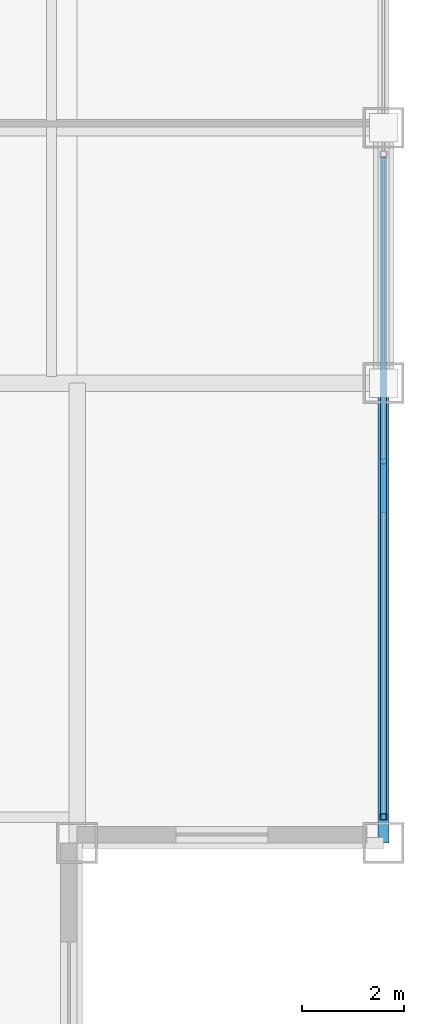
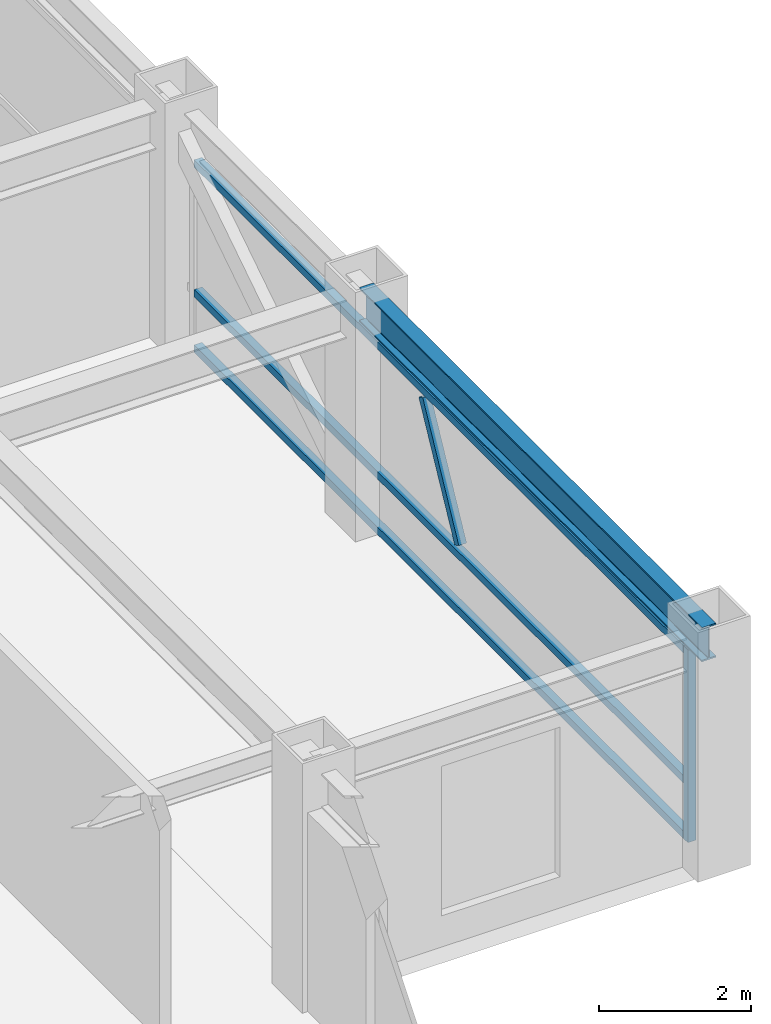
# One storey, part 12 of 29: 5 members, 1 beam, 1 element without a shape of its own.
"""IFC4 building model written with IfcOpenShell, lengths in metres."""

from ifc_helpers import new_model, si_unit, direction, frame, origin, origin_2d, place, context, subcontext, project, spatial, hollow_rectangle, i_section, extrude, source, transform, mapped, material, material_profile, profile_set, type_object, element, aggregate, save


model = new_model("IFC4")

# Units and contexts
model_context = context("Model", 3, precision=1e-05, world=origin(), true_north=direction((0.0, 1.0)))
body_context = subcontext(model_context, "Body", "Model", "MODEL_VIEW")
ifc_project = project(units=[si_unit("LENGTHUNIT", "METRE"), si_unit("AREAUNIT", "SQUARE_METRE"), si_unit("VOLUMEUNIT", "CUBIC_METRE"), si_unit("PLANEANGLEUNIT", "RADIAN"), si_unit("MASSUNIT", "GRAM", prefix="KILO")], contexts=[model_context])

# Site, building, storey
site_placement = place(None, origin())
site = spatial("IfcSite", under=ifc_project, at=site_placement, CompositionType="ELEMENT")
building_placement = place(site_placement, origin())
building = spatial("IfcBuilding", under=site, at=building_placement, Name="Khorayat Bourse Tower", CompositionType="ELEMENT")
storey_placement = place(building_placement, frame((0.0, 0.0, 346.300048828125)))
storey = spatial("IfcBuildingStorey", under=building, at=storey_placement, Name="L82", CompositionType="ELEMENT", Elevation=346.300048828125)

# Beam
ifc_material_1 = material(Name="Steel ASTM A992 Grade 50", Category="steel")
ifc_material_profile_1 = material_profile(ifc_material_1, i_section(OverallWidth=0.214111328125, OverallDepth=0.549072265625, WebThickness=0.0146484375, FlangeThickness=0.023681640625, FilletRadius=0.013916015625, at=origin_2d()), Name="W530X138")
ifc_profile_set_1 = profile_set([ifc_material_profile_1], Name="Steel ASTM A992 Grade 50")
beam_type = type_object("IfcBeamType", Name="BM-SPAN-530", PredefinedType="SPANDREL", material=ifc_profile_set_1)
shared_shape_1 = source(origin(), body_context, "Body", "SweptSolid", [
    extrude(i_section(OverallWidth=0.214111328125, OverallDepth=0.549072265625, WebThickness=0.0146484375, FlangeThickness=0.023681640625, FilletRadius=0.013916015625, at=origin_2d()), origin(), (0.0, 0.0, 1.0), 9.0),
])
beam_placement = place(storey_placement, frame((26.0, -20.0, 3.46533203125), z_axis=(0.0, 1.0, 0.0), x_axis=(-1.0, 0.0, 0.0)))
element("IfcBeam", 1, at=beam_placement, inside=storey, type_object=beam_type, Name="L82 BM-SPAN-530 BM-L82-SPN-029", PredefinedType="SPANDREL", context=body_context, shape_type="MappedRepresentation", body=[
    mapped(shared_shape_1, transform((0.0, 0.0, 0.0), scale=1.0)),
])

# Curtain wall, members
ifc_material_2 = material(Name="Aluminium EN AW-6063 T6", Category="aluminium")
curtain_wall_type = type_object("IfcCurtainWallType", Name="CW-SYS-06", PredefinedType="NOTDEFINED", material=ifc_material_2)
curtain_wall_placement = place(storey_placement, origin())
curtain_wall = element("IfcCurtainWall", 2, at=curtain_wall_placement, inside=storey, type_object=curtain_wall_type, Name="L82 Curtain Wall CW-L82-E1", PredefinedType="NOTDEFINED")
ifc_material_profile_2 = material_profile(ifc_material_2, hollow_rectangle(XDim=0.1201171875, YDim=0.1201171875, WallThickness=0.0048828125, at=origin_2d()), Name="ALU 120x120x5")
ifc_profile_set_2 = profile_set([ifc_material_profile_2], Name="Aluminium EN AW-6063 T6")
member_type_1 = type_object("IfcMemberType", Name="CWM-VERT-120", PredefinedType="MULLION", material=ifc_profile_set_2)
shared_shape_2 = source(origin(), body_context, "Body", "SweptSolid", [
    extrude(hollow_rectangle(XDim=0.1201171875, YDim=0.1201171875, WallThickness=0.0048828125, at=origin_2d()), origin(), (0.0, 0.0, 1.0), 3.08984375),
])
member_1_placement = place(storey_placement, frame((26.0, -19.489990234375, 0.0), z_axis=(0.0, 0.0, 1.0), x_axis=(-1.0, 0.0, 0.0)))
member_1 = element("IfcMember", 3, at=member_1_placement, type_object=member_type_1, Name="CW-L82-E1 Vertical Mullion 1", PredefinedType="MULLION", context=body_context, shape_type="MappedRepresentation", body=[
    mapped(shared_shape_2, transform((0.0, 0.0, 0.0), scale=1.0)),
])
ifc_material_profile_3 = material_profile(ifc_material_2, hollow_rectangle(XDim=0.1201171875, YDim=0.1201171875, WallThickness=0.0048828125, at=origin_2d()), Name="ALU 120x120x5")
ifc_profile_set_3 = profile_set([ifc_material_profile_3], Name="Aluminium EN AW-6063 T6")
member_type_2 = type_object("IfcMemberType", Name="CWM-DIAG-120", PredefinedType="MULLION", material=ifc_profile_set_3)
shared_shape_3 = source(origin(), body_context, "Body", "SweptSolid", [
    extrude(hollow_rectangle(XDim=0.1201171875, YDim=0.1201171875, WallThickness=0.0048828125, at=origin_2d()), origin(), (0.0, 0.0, 1.0), 2.0341796875),
])
member_2_placement = place(storey_placement, frame((26.0, -13.47705078125, 1.08984375), z_axis=(0.0, 0.465790950955, 0.884894790361), x_axis=(-1.0, 0.0, 0.0)))
member_2 = element("IfcMember", 4, at=member_2_placement, type_object=member_type_2, Name="CW-L82-E1 Faceted Diagonal Mullion 1", PredefinedType="MULLION", context=body_context, shape_type="MappedRepresentation", body=[
    mapped(shared_shape_3, transform((0.0, 0.0, 0.0), scale=1.0)),
])
ifc_material_profile_4 = material_profile(ifc_material_2, hollow_rectangle(XDim=0.1201171875, YDim=0.1201171875, WallThickness=0.0048828125, at=origin_2d()), Name="ALU 120x120x5")
ifc_profile_set_4 = profile_set([ifc_material_profile_4], Name="Aluminium EN AW-6063 T6")
member_type_3 = type_object("IfcMemberType", Name="CWT-HORZ-120", PredefinedType="USERDEFINED", material=ifc_profile_set_4)
shared_shape_4 = source(origin(), body_context, "Body", "SweptSolid", [
    extrude(hollow_rectangle(XDim=0.1201171875, YDim=0.1201171875, WallThickness=0.0048828125, at=origin_2d()), origin(), (0.0, 0.0, 1.0), 12.853271484375),
])
member_3_placement = place(storey_placement, frame((26.0, -19.429931640625, 0.06005859375), z_axis=(0.0, 1.0, 0.0), x_axis=(-1.0, 0.0, 0.0)))
member_3 = element("IfcMember", 5, at=member_3_placement, type_object=member_type_3, Name="CW-L82-E1 Horizontal Transom 1-1", ObjectType="TRANSOM", PredefinedType="USERDEFINED", context=body_context, shape_type="MappedRepresentation", body=[
    mapped(shared_shape_4, transform((0.0, 0.0, 0.0), scale=1.0)),
])
member_4_placement = place(storey_placement, frame((26.0, -19.429931640625, 0.949951171875), z_axis=(0.0, 1.0, 0.0), x_axis=(-1.0, 0.0, 0.0)))
member_4 = element("IfcMember", 6, at=member_4_placement, type_object=member_type_3, Name="CW-L82-E1 Horizontal Transom 1-2", ObjectType="TRANSOM", PredefinedType="USERDEFINED", context=body_context, shape_type="MappedRepresentation", body=[
    mapped(shared_shape_4, transform((0.0, 0.0, 0.0), scale=1.0)),
])
member_5_placement = place(storey_placement, frame((26.0, -19.429931640625, 3.030029296875), z_axis=(0.0, 1.0, 0.0), x_axis=(-1.0, 0.0, 0.0)))
member_5 = element("IfcMember", 7, at=member_5_placement, type_object=member_type_3, Name="CW-L82-E1 Horizontal Transom 1-3", ObjectType="TRANSOM", PredefinedType="USERDEFINED", context=body_context, shape_type="MappedRepresentation", body=[
    mapped(shared_shape_4, transform((0.0, 0.0, 0.0), scale=1.0)),
])
aggregate(curtain_wall, [member_1, member_3, member_4, member_5, member_2])

save(model, "model.ifc")
